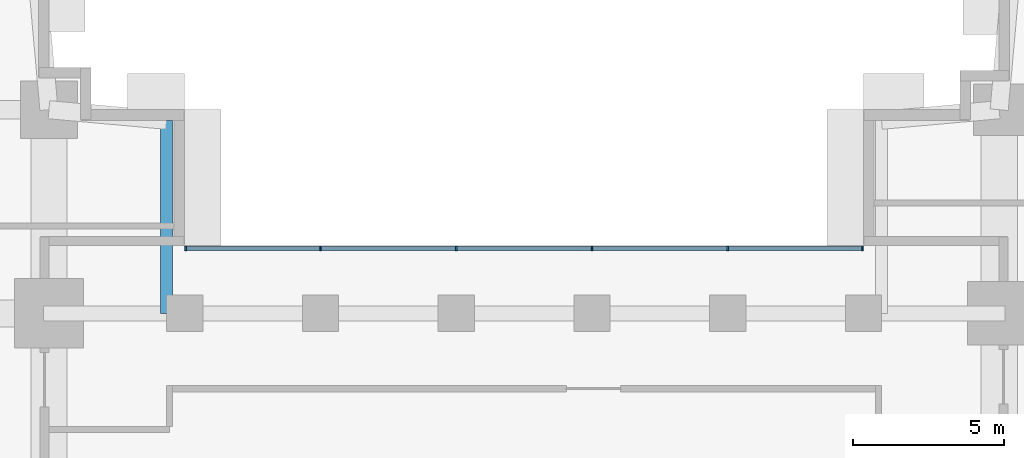
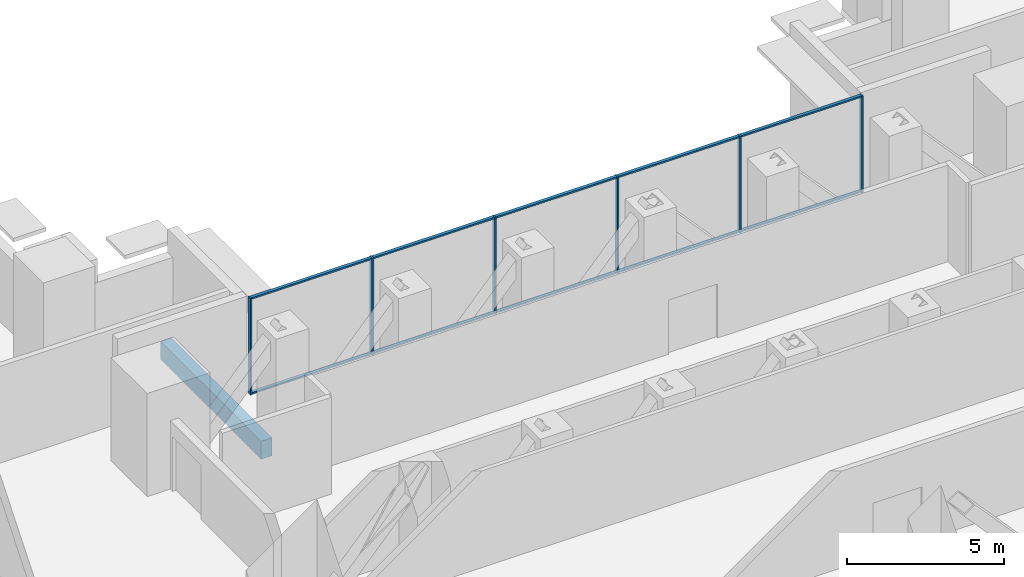
# One storey, part 4 of 15: 16 members, 1 beam, 1 element without a shape of its own.
"""IFC4 building model written with IfcOpenShell, lengths in metres."""

from ifc_helpers import new_model, si_unit, direction, frame, origin, origin_2d, place, context, subcontext, project, spatial, rectangle, extrude, material, layer, layer_set, material_profile, profile_set, type_object, element, aggregate, save


model = new_model("IFC4")

# Units and contexts
model_context = context("Model", 3, precision=1e-05, world=origin(), true_north=direction((0.0, 1.0)))
body_context = subcontext(model_context, "Body", "Model", "MODEL_VIEW")
ifc_project = project(units=[si_unit("LENGTHUNIT", "METRE"), si_unit("AREAUNIT", "SQUARE_METRE"), si_unit("VOLUMEUNIT", "CUBIC_METRE"), si_unit("PLANEANGLEUNIT", "RADIAN"), si_unit("MASSUNIT", "GRAM", prefix="KILO")], contexts=[model_context])

# Site, building, storey
site_placement = place(None, origin())
site = spatial("IfcSite", under=ifc_project, at=site_placement, CompositionType="ELEMENT")
building_placement = place(site_placement, origin())
building = spatial("IfcBuilding", under=site, at=building_placement, Name="Namib Vertical Campus", CompositionType="ELEMENT")
storey_placement = place(building_placement, frame((0.0, 0.0, 109.0)))
storey = spatial("IfcBuildingStorey", under=building, at=storey_placement, Name="L25", CompositionType="ELEMENT", Elevation=109.0)

# Curtain wall, members
ifc_material_1 = material(Name="Black aluminium curtain wall", Category="aluminium")
ifc_layer = layer(ifc_material_1, 0.199951171875)
ifc_layer_set = layer_set([ifc_layer], Name="Bridge curtain wall CW-BR")
curtain_wall_type = type_object("IfcCurtainWallType", Name="Bridge curtain wall CW-BR", PredefinedType="USERDEFINED", material=ifc_layer_set)
curtain_wall_placement = place(storey_placement, origin())
curtain_wall = element("IfcCurtainWall", 1, at=curtain_wall_placement, inside=storey, type_object=curtain_wall_type, Name="Curtain wall CW-BR L25 N", ObjectType="CURTAIN WALL", PredefinedType="USERDEFINED")
ifc_material_2 = material(Name="Black anodised aluminium", Category="aluminium")
ifc_material_profile_1 = material_profile(ifc_material_2, rectangle(XDim=0.06005859375, YDim=0.159912109375, at=origin_2d()))
ifc_profile_set_1 = profile_set([ifc_material_profile_1], Name="Black anodised aluminium")
member_type_1 = type_object("IfcMemberType", Name="Curtain wall mullion 60x160", PredefinedType="MULLION", material=ifc_profile_set_1)
member_1_placement = place(storey_placement, frame((62.969970703125, 31.39990234375, 0.0), z_axis=(0.0, 0.0, 1.0), x_axis=(-1.0, 0.0, 0.0)))
member_1 = element("IfcMember", 2, at=member_1_placement, type_object=member_type_1, Name="CW-BR mullion 1", PredefinedType="MULLION", context=body_context, shape_type="SweptSolid", body=[
    extrude(rectangle(XDim=0.06005859375, YDim=0.159912109375, at=origin_2d()), origin(), (0.0, 0.0, 1.0), 3.75),
])
member_2_placement = place(storey_placement, frame((58.5, 31.39990234375, 0.0), z_axis=(0.0, 0.0, 1.0), x_axis=(-1.0, 0.0, 0.0)))
member_2 = element("IfcMember", 3, at=member_2_placement, type_object=member_type_1, Name="CW-BR mullion 2", PredefinedType="MULLION", context=body_context, shape_type="SweptSolid", body=[
    extrude(rectangle(XDim=0.06005859375, YDim=0.159912109375, at=origin_2d()), origin(), (0.0, 0.0, 1.0), 3.75),
])
member_3_placement = place(storey_placement, frame((54.0, 31.39990234375, 0.0), z_axis=(0.0, 0.0, 1.0), x_axis=(-1.0, 0.0, 0.0)))
member_3 = element("IfcMember", 4, at=member_3_placement, type_object=member_type_1, Name="CW-BR mullion 3", PredefinedType="MULLION", context=body_context, shape_type="SweptSolid", body=[
    extrude(rectangle(XDim=0.06005859375, YDim=0.159912109375, at=origin_2d()), origin(), (0.0, 0.0, 1.0), 3.75),
])
member_4_placement = place(storey_placement, frame((49.5, 31.39990234375, 0.0), z_axis=(0.0, 0.0, 1.0), x_axis=(-1.0, 0.0, 0.0)))
member_4 = element("IfcMember", 5, at=member_4_placement, type_object=member_type_1, Name="CW-BR mullion 4", PredefinedType="MULLION", context=body_context, shape_type="SweptSolid", body=[
    extrude(rectangle(XDim=0.06005859375, YDim=0.159912109375, at=origin_2d()), origin(), (0.0, 0.0, 1.0), 3.75),
])
member_5_placement = place(storey_placement, frame((45.0, 31.39990234375, 0.0), z_axis=(0.0, 0.0, 1.0), x_axis=(-1.0, 0.0, 0.0)))
member_5 = element("IfcMember", 6, at=member_5_placement, type_object=member_type_1, Name="CW-BR mullion 5", PredefinedType="MULLION", context=body_context, shape_type="SweptSolid", body=[
    extrude(rectangle(XDim=0.06005859375, YDim=0.159912109375, at=origin_2d()), origin(), (0.0, 0.0, 1.0), 3.75),
])
member_6_placement = place(storey_placement, frame((40.530029296875, 31.39990234375, 0.0), z_axis=(0.0, 0.0, 1.0), x_axis=(-1.0, 0.0, 0.0)))
member_6 = element("IfcMember", 7, at=member_6_placement, type_object=member_type_1, Name="CW-BR mullion 6", PredefinedType="MULLION", context=body_context, shape_type="SweptSolid", body=[
    extrude(rectangle(XDim=0.06005859375, YDim=0.159912109375, at=origin_2d()), origin(), (0.0, 0.0, 1.0), 3.75),
])
ifc_material_3 = material(Name="Black anodised aluminium", Category="aluminium")
ifc_material_profile_2 = material_profile(ifc_material_3, rectangle(XDim=0.06005859375, YDim=0.1201171875, at=origin_2d()))
ifc_profile_set_2 = profile_set([ifc_material_profile_2], Name="Black anodised aluminium")
member_type_2 = type_object("IfcMemberType", Name="Curtain wall transom 60x120", PredefinedType="USERDEFINED", material=ifc_profile_set_2)
member_7_placement = place(storey_placement, frame((62.93994140625, 31.39990234375, 0.030029296875), z_axis=(-1.0, 0.0, 0.0), x_axis=(0.0, 0.0, 1.0)))
member_7 = element("IfcMember", 8, at=member_7_placement, type_object=member_type_2, Name="CW-BR transom 1.1", ObjectType="TRANSOM", PredefinedType="USERDEFINED", context=body_context, shape_type="SweptSolid", body=[
    extrude(rectangle(XDim=0.06005859375, YDim=0.1201171875, at=origin_2d()), origin(), (0.0, 0.0, 1.0), 4.409912109375),
])
member_8_placement = place(storey_placement, frame((62.93994140625, 31.39990234375, 3.719970703125), z_axis=(-1.0, 0.0, 0.0), x_axis=(0.0, 0.0, 1.0)))
member_8 = element("IfcMember", 9, at=member_8_placement, type_object=member_type_2, Name="CW-BR transom 1.2", ObjectType="TRANSOM", PredefinedType="USERDEFINED", context=body_context, shape_type="SweptSolid", body=[
    extrude(rectangle(XDim=0.06005859375, YDim=0.1201171875, at=origin_2d()), origin(), (0.0, 0.0, 1.0), 4.409912109375),
])
member_9_placement = place(storey_placement, frame((58.469970703125, 31.39990234375, 0.030029296875), z_axis=(-1.0, 0.0, 0.0), x_axis=(0.0, 0.0, 1.0)))
member_9 = element("IfcMember", 10, at=member_9_placement, type_object=member_type_2, Name="CW-BR transom 2.1", ObjectType="TRANSOM", PredefinedType="USERDEFINED", context=body_context, shape_type="SweptSolid", body=[
    extrude(rectangle(XDim=0.06005859375, YDim=0.1201171875, at=origin_2d()), origin(), (0.0, 0.0, 1.0), 4.43994140625),
])
member_10_placement = place(storey_placement, frame((58.469970703125, 31.39990234375, 3.719970703125), z_axis=(-1.0, 0.0, 0.0), x_axis=(0.0, 0.0, 1.0)))
member_10 = element("IfcMember", 11, at=member_10_placement, type_object=member_type_2, Name="CW-BR transom 2.2", ObjectType="TRANSOM", PredefinedType="USERDEFINED", context=body_context, shape_type="SweptSolid", body=[
    extrude(rectangle(XDim=0.06005859375, YDim=0.1201171875, at=origin_2d()), origin(), (0.0, 0.0, 1.0), 4.43994140625),
])
member_11_placement = place(storey_placement, frame((53.969970703125, 31.39990234375, 0.030029296875), z_axis=(-1.0, 0.0, 0.0), x_axis=(0.0, 0.0, 1.0)))
member_11 = element("IfcMember", 12, at=member_11_placement, type_object=member_type_2, Name="CW-BR transom 3.1", ObjectType="TRANSOM", PredefinedType="USERDEFINED", context=body_context, shape_type="SweptSolid", body=[
    extrude(rectangle(XDim=0.06005859375, YDim=0.1201171875, at=origin_2d()), origin(), (0.0, 0.0, 1.0), 4.43994140625),
])
member_12_placement = place(storey_placement, frame((53.969970703125, 31.39990234375, 3.719970703125), z_axis=(-1.0, 0.0, 0.0), x_axis=(0.0, 0.0, 1.0)))
member_12 = element("IfcMember", 13, at=member_12_placement, type_object=member_type_2, Name="CW-BR transom 3.2", ObjectType="TRANSOM", PredefinedType="USERDEFINED", context=body_context, shape_type="SweptSolid", body=[
    extrude(rectangle(XDim=0.06005859375, YDim=0.1201171875, at=origin_2d()), origin(), (0.0, 0.0, 1.0), 4.43994140625),
])
member_13_placement = place(storey_placement, frame((49.469970703125, 31.39990234375, 0.030029296875), z_axis=(-1.0, 0.0, 0.0), x_axis=(0.0, 0.0, 1.0)))
member_13 = element("IfcMember", 14, at=member_13_placement, type_object=member_type_2, Name="CW-BR transom 4.1", ObjectType="TRANSOM", PredefinedType="USERDEFINED", context=body_context, shape_type="SweptSolid", body=[
    extrude(rectangle(XDim=0.06005859375, YDim=0.1201171875, at=origin_2d()), origin(), (0.0, 0.0, 1.0), 4.43994140625),
])
member_14_placement = place(storey_placement, frame((49.469970703125, 31.39990234375, 3.719970703125), z_axis=(-1.0, 0.0, 0.0), x_axis=(0.0, 0.0, 1.0)))
member_14 = element("IfcMember", 15, at=member_14_placement, type_object=member_type_2, Name="CW-BR transom 4.2", ObjectType="TRANSOM", PredefinedType="USERDEFINED", context=body_context, shape_type="SweptSolid", body=[
    extrude(rectangle(XDim=0.06005859375, YDim=0.1201171875, at=origin_2d()), origin(), (0.0, 0.0, 1.0), 4.43994140625),
])
member_15_placement = place(storey_placement, frame((44.969970703125, 31.39990234375, 0.030029296875), z_axis=(-1.0, 0.0, 0.0), x_axis=(0.0, 0.0, 1.0)))
member_15 = element("IfcMember", 16, at=member_15_placement, type_object=member_type_2, Name="CW-BR transom 5.1", ObjectType="TRANSOM", PredefinedType="USERDEFINED", context=body_context, shape_type="SweptSolid", body=[
    extrude(rectangle(XDim=0.06005859375, YDim=0.1201171875, at=origin_2d()), origin(), (0.0, 0.0, 1.0), 4.409912109375),
])
member_16_placement = place(storey_placement, frame((44.969970703125, 31.39990234375, 3.719970703125), z_axis=(-1.0, 0.0, 0.0), x_axis=(0.0, 0.0, 1.0)))
member_16 = element("IfcMember", 17, at=member_16_placement, type_object=member_type_2, Name="CW-BR transom 5.2", ObjectType="TRANSOM", PredefinedType="USERDEFINED", context=body_context, shape_type="SweptSolid", body=[
    extrude(rectangle(XDim=0.06005859375, YDim=0.1201171875, at=origin_2d()), origin(), (0.0, 0.0, 1.0), 4.409912109375),
])
aggregate(curtain_wall, [member_1, member_2, member_3, member_4, member_5, member_6, member_7, member_8, member_9, member_10, member_11, member_12, member_13, member_14, member_15, member_16])

# Beam
ifc_material_4 = material(Name="Concrete C40/50", Category="concrete")
ifc_material_profile_3 = material_profile(ifc_material_4, rectangle(XDim=0.39990234375, YDim=0.699951171875, at=origin_2d()))
ifc_profile_set_3 = profile_set([ifc_material_profile_3], Name="Concrete C40/50")
beam_type = type_object("IfcBeamType", Name="Edge beam RC 400x700", PredefinedType="SPANDREL", material=ifc_profile_set_3)
beam_placement = place(storey_placement, frame((39.89990234375, 29.25, -0.60009765625), z_axis=(0.0, 1.0, 0.0), x_axis=(-1.0, 0.0, 0.0)))
element("IfcBeam", 18, at=beam_placement, inside=storey, type_object=beam_type, Name="Beam B4 L25", PredefinedType="SPANDREL", context=body_context, shape_type="SweptSolid", body=[
    extrude(rectangle(XDim=0.39990234375, YDim=0.699951171875, at=origin_2d()), origin(), (0.0, 0.0, 1.0), 6.39990234375),
])

save(model, "model.ifc")
